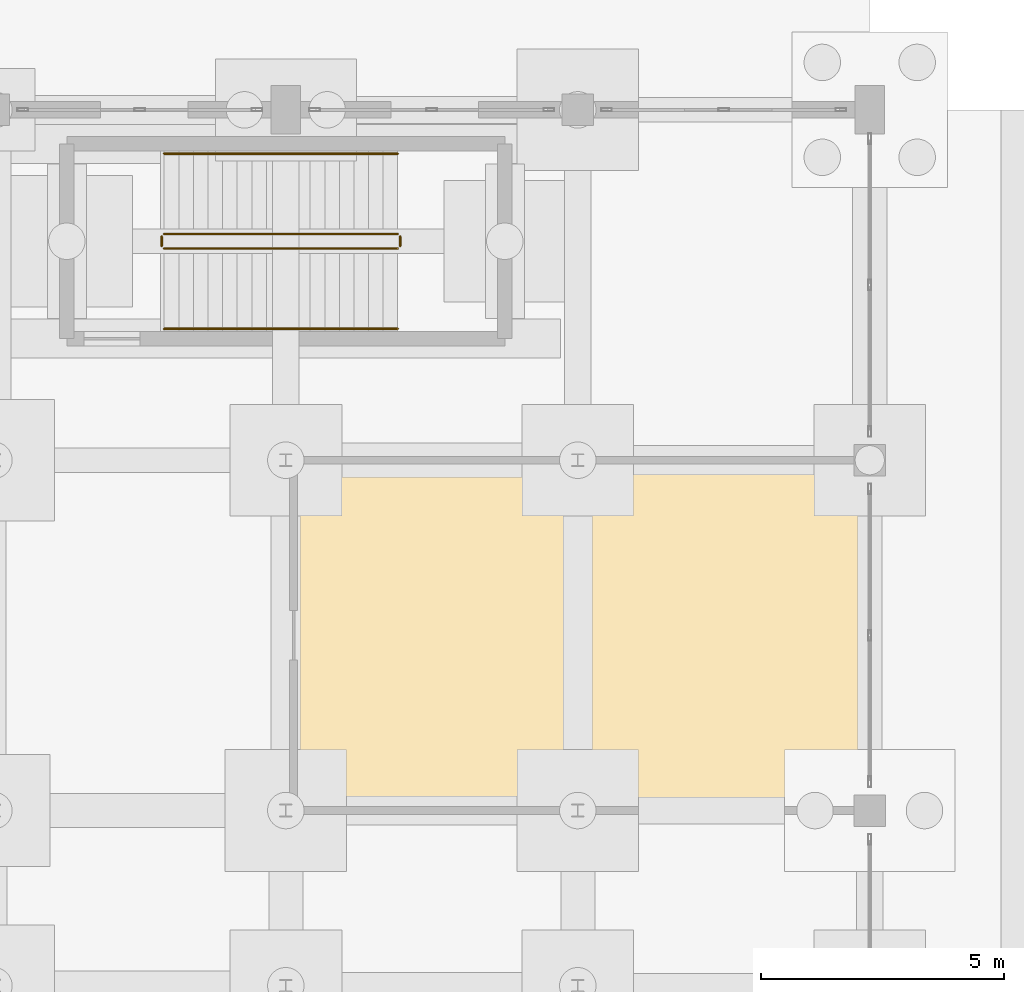
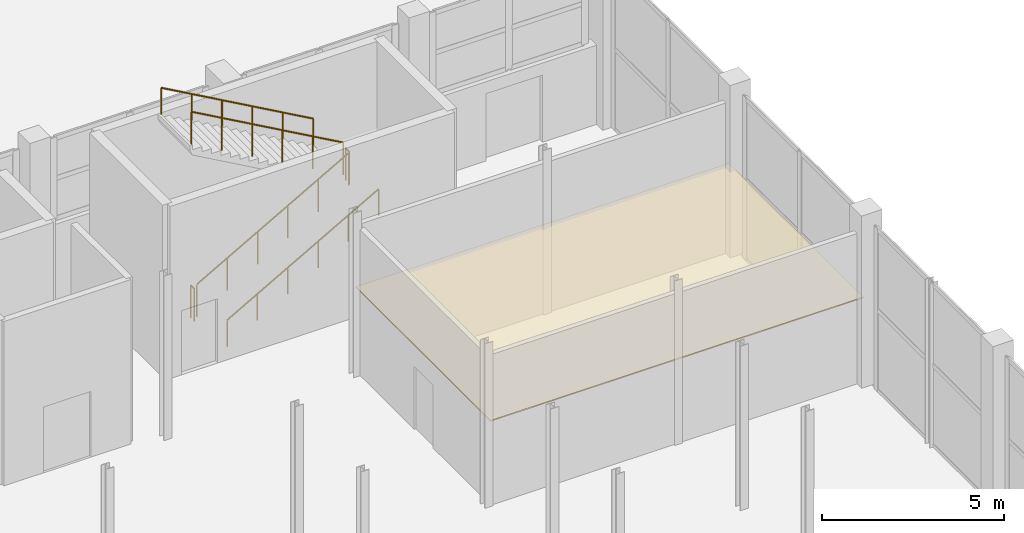
# One storey, part 101 of 103: 6 railings, 1 covering.
"""IFC4 building model written with IfcOpenShell, lengths in metres."""

from ifc_helpers import new_model, si_unit, direction, frame, origin, origin_2d, place, context, subcontext, project, spatial, polyline, circle, outline, extrude, material, layer, layer_set, type_object, element, save


model = new_model("IFC4")

# Units and contexts
model_context = context("Model", 3, precision=1e-05, world=origin(), true_north=direction((0.0, 1.0)))
body_context = subcontext(model_context, "Body", "Model", "MODEL_VIEW")
ifc_project = project(units=[si_unit("LENGTHUNIT", "METRE"), si_unit("AREAUNIT", "SQUARE_METRE"), si_unit("VOLUMEUNIT", "CUBIC_METRE"), si_unit("PLANEANGLEUNIT", "RADIAN"), si_unit("MASSUNIT", "GRAM", prefix="KILO")], contexts=[model_context])

# Site, building, storey
site_placement = place(None, origin())
site = spatial("IfcSite", under=ifc_project, at=site_placement, CompositionType="ELEMENT")
building_placement = place(site_placement, origin())
building = spatial("IfcBuilding", under=site, at=building_placement, Name="Dunvalen Ferry Terminal", CompositionType="ELEMENT")
storey_placement = place(building_placement, origin())
storey = spatial("IfcBuildingStorey", under=building, at=storey_placement, Name="L00", CompositionType="ELEMENT", Elevation=0.0)

# Covering
ifc_material_1 = material(Name="Perforated marine aluminium acoustic baffle ceiling", Category="aluminium")
ifc_layer = layer(ifc_material_1, 0.0400390625, Name="Perforated marine aluminium acoustic baffle ceiling")
ifc_layer_set = layer_set([ifc_layer], Name="Perforated marine aluminium acoustic baffle ceiling")
covering_type = type_object("IfcCoveringType", Name="INT-COV-CLG01", PredefinedType="CEILING", material=ifc_layer_set)
covering_placement = place(storey_placement, frame((0.0, 0.0, 2.81005859375)))
element("IfcCovering", 1, at=covering_placement, inside=storey, type_object=covering_type, Name="L00 Arrivals Public and Accessible Toilets Acoustic Suspended Ceiling", PredefinedType="CEILING", context=body_context, shape_type="SweptSolid", body=[
    extrude(outline(polyline([(156.070068359375, 79.2900390625), (156.070068359375, 71.909912109375), (167.8701171875, 71.909912109375), (167.8701171875, 79.2900390625), (156.070068359375, 79.2900390625)])), origin(), (0.0, 0.0, 1.0), 0.0400390625),
])

# Railings
ifc_material_2 = material(Name="Painted galvanised steel S275", Category="steel")
railing_type_1 = type_object("IfcRailingType", Name="INT-RL-STGRD", PredefinedType="GUARDRAIL", material=ifc_material_2)
railing_1_placement = place(storey_placement, frame((153.5, 83.550048828125, 0.16943359375)))
element("IfcRailing", 2, at=railing_1_placement, inside=storey, type_object=railing_type_1, Name="L00 ST9 stair guard 1", PredefinedType="GUARDRAIL", context=body_context, shape_type="SweptSolid", body=[
    extrude(circle(Radius=0.02392578125, at=origin_2d()), frame((0.0, 0.0, 1.076171875), z_axis=(0.870766506294, 0.0, 0.491696747514), x_axis=(0.0, 1.0, 0.0)), (0.0, 0.0, 1.0), 5.512451171875),
    extrude(circle(Radius=0.02099609375, at=origin_2d()), origin(), (0.0, 0.0, 1.0), 1.052001953125),
    extrude(circle(Radius=0.02099609375, at=origin_2d()), frame((0.9599609375, 0.0, 0.5419921875)), (0.0, 0.0, 1.0), 1.052001953125),
    extrude(circle(Radius=0.02099609375, at=origin_2d()), frame((1.919921875, 0.0, 1.084228515625)), (0.0, 0.0, 1.0), 1.052001953125),
    extrude(circle(Radius=0.02099609375, at=origin_2d()), frame((2.880126953125, 0.0, 1.626220703125)), (0.0, 0.0, 1.0), 1.052001953125),
    extrude(circle(Radius=0.02099609375, at=origin_2d()), frame((3.840087890625, 0.0, 2.16845703125)), (0.0, 0.0, 1.0), 1.052001953125),
    extrude(circle(Radius=0.02099609375, at=origin_2d()), frame((4.800048828125, 0.0, 2.71044921875)), (0.0, 0.0, 1.0), 1.052001953125),
])
railing_2_placement = place(storey_placement, frame((158.35009765625, 83.60009765625, 2.8798828125)))
element("IfcRailing", 3, at=railing_2_placement, inside=storey, type_object=railing_type_1, Name="L00 ST9 stair guard 2", PredefinedType="GUARDRAIL", context=body_context, shape_type="SweptSolid", body=[
    extrude(circle(Radius=0.02392578125, at=origin_2d()), frame((0.0, 0.0, 1.076171875), z_axis=(0.0, 1.0, 0.0), x_axis=(-1.0, 0.0, 0.0)), (0.0, 0.0, 1.0), 0.199951171875),
    extrude(circle(Radius=0.02099609375, at=origin_2d()), origin(), (0.0, 0.0, 1.0), 1.052001953125),
    extrude(circle(Radius=0.02099609375, at=origin_2d()), frame((0.0, 0.199951171875, 0.0)), (0.0, 0.0, 1.0), 1.052001953125),
])
railing_3_placement = place(storey_placement, frame((158.300048828125, 83.85009765625, 3.04931640625)))
element("IfcRailing", 4, at=railing_3_placement, inside=storey, type_object=railing_type_1, Name="L00 ST9 stair guard 3", PredefinedType="GUARDRAIL", context=body_context, shape_type="SweptSolid", body=[
    extrude(circle(Radius=0.02392578125, at=origin_2d()), frame((0.0, 0.0, 1.076171875), z_axis=(-0.870747543578, 0.0, 0.491730327875), x_axis=(0.0, -1.0, 0.0)), (0.0, 0.0, 1.0), 5.512451171875),
    extrude(circle(Radius=0.02099609375, at=origin_2d()), origin(), (0.0, 0.0, 1.0), 1.052001953125),
    extrude(circle(Radius=0.02099609375, at=origin_2d()), frame((-0.9599609375, 0.0, 0.542236328125)), (0.0, 0.0, 1.0), 1.052001953125),
    extrude(circle(Radius=0.02099609375, at=origin_2d()), frame((-1.919921875, 0.0, 1.084228515625)), (0.0, 0.0, 1.0), 1.052001953125),
    extrude(circle(Radius=0.02099609375, at=origin_2d()), frame((-2.880126953125, 0.0, 1.62646484375)), (0.0, 0.0, 1.0), 1.052001953125),
    extrude(circle(Radius=0.02099609375, at=origin_2d()), frame((-3.840087890625, 0.0, 2.16845703125)), (0.0, 0.0, 1.0), 1.052001953125),
    extrude(circle(Radius=0.02099609375, at=origin_2d()), frame((-4.800048828125, 0.0, 2.710693359375)), (0.0, 0.0, 1.0), 1.052001953125),
])
railing_4_placement = place(storey_placement, frame((153.449951171875, 83.60009765625, 0.0)))
element("IfcRailing", 5, at=railing_4_placement, inside=storey, type_object=railing_type_1, Name="L00 ST9 stair guard 4", PredefinedType="GUARDRAIL", context=body_context, shape_type="SweptSolid", body=[
    extrude(circle(Radius=0.02392578125, at=origin_2d()), frame((0.0, 0.0, 1.076171875), z_axis=(0.0, 1.0, 0.0), x_axis=(-1.0, 0.0, 0.0)), (0.0, 0.0, 1.0), 0.199951171875),
    extrude(circle(Radius=0.02099609375, at=origin_2d()), origin(), (0.0, 0.0, 1.0), 1.052001953125),
    extrude(circle(Radius=0.02099609375, at=origin_2d()), frame((0.0, 0.199951171875, 0.0)), (0.0, 0.0, 1.0), 1.052001953125),
])
ifc_material_3 = material(Name="Brushed 316 stainless steel", Category="steel")
railing_type_2 = type_object("IfcRailingType", Name="INT-RL-STHND", PredefinedType="HANDRAIL", material=ifc_material_3)
railing_5_placement = place(storey_placement, frame((153.5, 81.89990234375, 0.16943359375)))
element("IfcRailing", 6, at=railing_5_placement, inside=storey, type_object=railing_type_2, Name="L00 ST9 stair handrail 1", PredefinedType="HANDRAIL", context=body_context, shape_type="SweptSolid", body=[
    extrude(circle(Radius=0.02392578125, at=origin_2d()), frame((0.0, 0.0, 0.8759765625), z_axis=(0.870766506294, 0.0, 0.491696747514), x_axis=(0.0, 1.0, 0.0)), (0.0, 0.0, 1.0), 5.512451171875),
    extrude(circle(Radius=0.02099609375, at=origin_2d()), origin(), (0.0, 0.0, 1.0), 0.851806640625),
    extrude(circle(Radius=0.02099609375, at=origin_2d()), frame((0.9599609375, 0.0, 0.5419921875)), (0.0, 0.0, 1.0), 0.851806640625),
    extrude(circle(Radius=0.02099609375, at=origin_2d()), frame((1.919921875, 0.0, 1.084228515625)), (0.0, 0.0, 1.0), 0.851806640625),
    extrude(circle(Radius=0.02099609375, at=origin_2d()), frame((2.880126953125, 0.0, 1.626220703125)), (0.0, 0.0, 1.0), 0.851806640625),
    extrude(circle(Radius=0.02099609375, at=origin_2d()), frame((3.840087890625, 0.0, 2.16845703125)), (0.0, 0.0, 1.0), 0.851806640625),
    extrude(circle(Radius=0.02099609375, at=origin_2d()), frame((4.800048828125, 0.0, 2.71044921875)), (0.0, 0.0, 1.0), 0.851806640625),
])
railing_6_placement = place(storey_placement, frame((158.300048828125, 85.5, 3.04931640625)))
element("IfcRailing", 7, at=railing_6_placement, inside=storey, type_object=railing_type_2, Name="L00 ST9 stair handrail 2", PredefinedType="HANDRAIL", context=body_context, shape_type="SweptSolid", body=[
    extrude(circle(Radius=0.02392578125, at=origin_2d()), frame((0.0, 0.0, 0.8759765625), z_axis=(-0.870747543578, 0.0, 0.491730327875), x_axis=(0.0, -1.0, 0.0)), (0.0, 0.0, 1.0), 5.512451171875),
    extrude(circle(Radius=0.02099609375, at=origin_2d()), origin(), (0.0, 0.0, 1.0), 0.851806640625),
    extrude(circle(Radius=0.02099609375, at=origin_2d()), frame((-0.9599609375, 0.0, 0.542236328125)), (0.0, 0.0, 1.0), 0.851806640625),
    extrude(circle(Radius=0.02099609375, at=origin_2d()), frame((-1.919921875, 0.0, 1.084228515625)), (0.0, 0.0, 1.0), 0.851806640625),
    extrude(circle(Radius=0.02099609375, at=origin_2d()), frame((-2.880126953125, 0.0, 1.62646484375)), (0.0, 0.0, 1.0), 0.851806640625),
    extrude(circle(Radius=0.02099609375, at=origin_2d()), frame((-3.840087890625, 0.0, 2.16845703125)), (0.0, 0.0, 1.0), 0.851806640625),
    extrude(circle(Radius=0.02099609375, at=origin_2d()), frame((-4.800048828125, 0.0, 2.710693359375)), (0.0, 0.0, 1.0), 0.851806640625),
])

save(model, "model.ifc")
